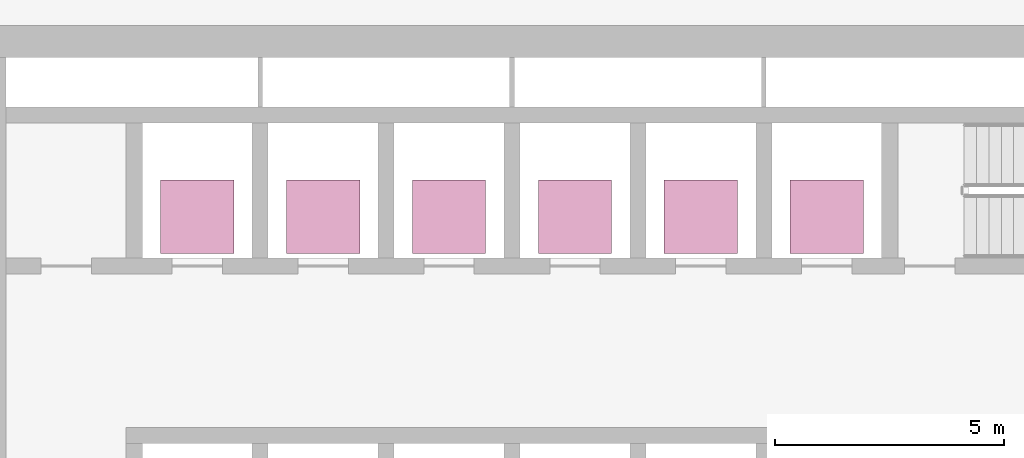
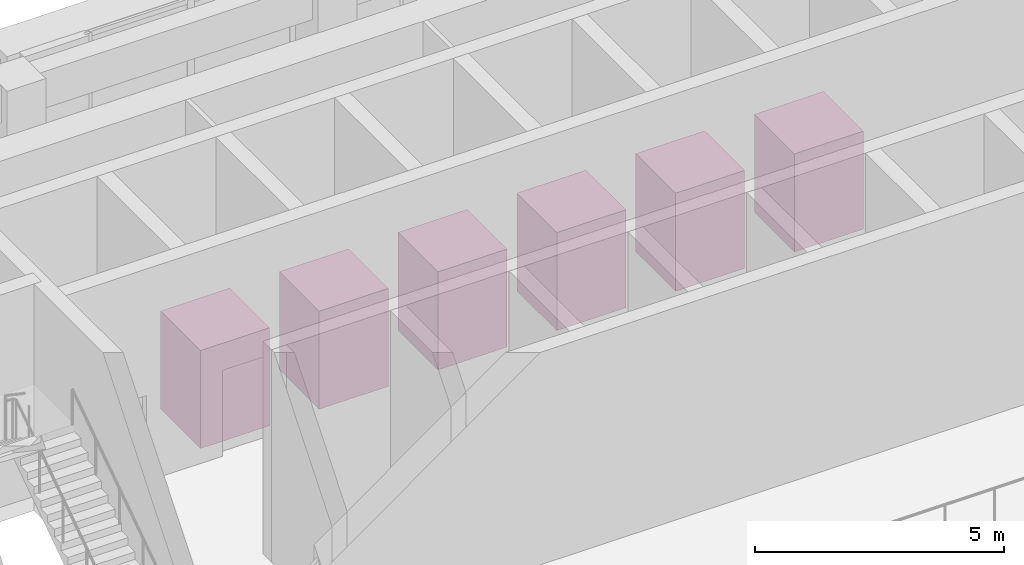
# One storey, part 25 of 25: 6 transport elements.
"""IFC4 building model written with IfcOpenShell, lengths in metres."""

from ifc_helpers import new_model, si_unit, direction, frame, origin, origin_2d, place, context, subcontext, project, spatial, rectangle, extrude, source, transform, mapped, material, type_object, element, save


model = new_model("IFC4")

# Units and contexts
model_context = context("Model", 3, precision=1e-05, world=origin(), true_north=direction((0.0, 1.0)))
body_context = subcontext(model_context, "Body", "Model", "MODEL_VIEW")
ifc_project = project(units=[si_unit("LENGTHUNIT", "METRE"), si_unit("AREAUNIT", "SQUARE_METRE"), si_unit("VOLUMEUNIT", "CUBIC_METRE"), si_unit("PLANEANGLEUNIT", "RADIAN"), si_unit("MASSUNIT", "GRAM", prefix="KILO")], contexts=[model_context])

# Site, building, storey
site_placement = place(None, origin())
site = spatial("IfcSite", under=ifc_project, at=site_placement, CompositionType="ELEMENT")
building_placement = place(site_placement, origin())
building = spatial("IfcBuilding", under=site, at=building_placement, Name="Saffron Iwan Residences", CompositionType="ELEMENT")
storey_placement = place(building_placement, frame((0.0, 0.0, 137.5)))
storey = spatial("IfcBuildingStorey", under=building, at=storey_placement, Name="L36", CompositionType="ELEMENT", Elevation=137.5)

# Transport elements
ifc_material = material(Name="Stainless steel 316", Category="steel")
transport_element_type = type_object("IfcTransportElementType", Name="Lift car 1600 x 1600", PredefinedType="ELEVATOR", material=ifc_material)
shared_shape = source(origin(), body_context, "Body", "SweptSolid", [
    extrude(rectangle(XDim=1.60009765625, YDim=1.60009765625, at=origin_2d()), origin(), (0.0, 0.0, 1.0), 2.39990234375),
])
for number, where, z_axis, x_axis, name in (
    (1, (37.175048828125, 73.824951171875, 0.0), (0.0, 0.0, 1.0), (1.0, 0.0, 0.0), "Lift HR1"),
    (2, (39.925048828125, 73.824951171875, 0.0), (0.0, 0.0, 1.0), (1.0, 0.0, 0.0), "Lift HR2"),
    (3, (42.675048828125, 73.824951171875, 0.0), (0.0, 0.0, 1.0), (1.0, 0.0, 0.0), "Lift HR3"),
    (4, (45.425048828125, 73.824951171875, 0.0), (0.0, 0.0, 1.0), (1.0, 0.0, 0.0), "Lift HR4"),
    (5, (48.175048828125, 73.824951171875, 0.0), (0.0, 0.0, 1.0), (1.0, 0.0, 0.0), "Lift HR5"),
    (6, (50.925048828125, 73.824951171875, 0.0), (0.0, 0.0, 1.0), (1.0, 0.0, 0.0), "Lift HR6"),
):
    element("IfcTransportElement", number, at=place(storey_placement, frame(where, z_axis=z_axis, x_axis=x_axis)), inside=storey, type_object=transport_element_type, Name=name, PredefinedType="ELEVATOR", context=body_context, shape_type="MappedRepresentation", body=[
        mapped(shared_shape, transform((0.0, 0.0, 0.0))),
    ])

save(model, "model.ifc")
